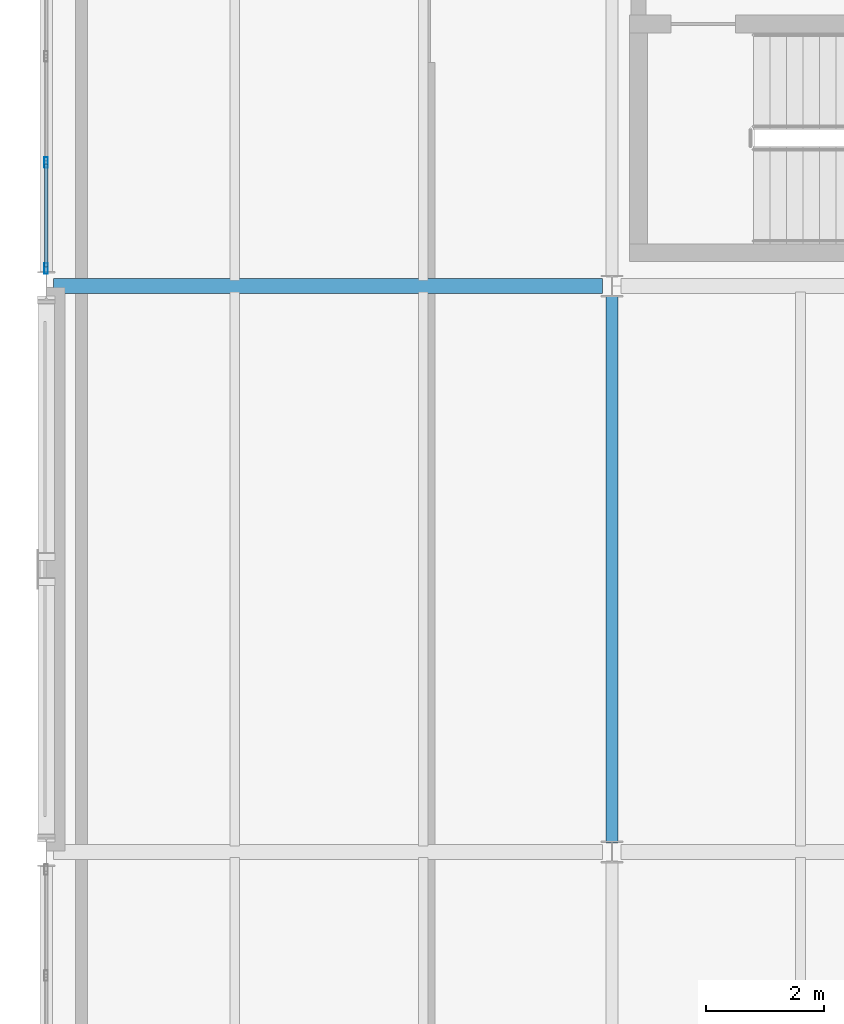
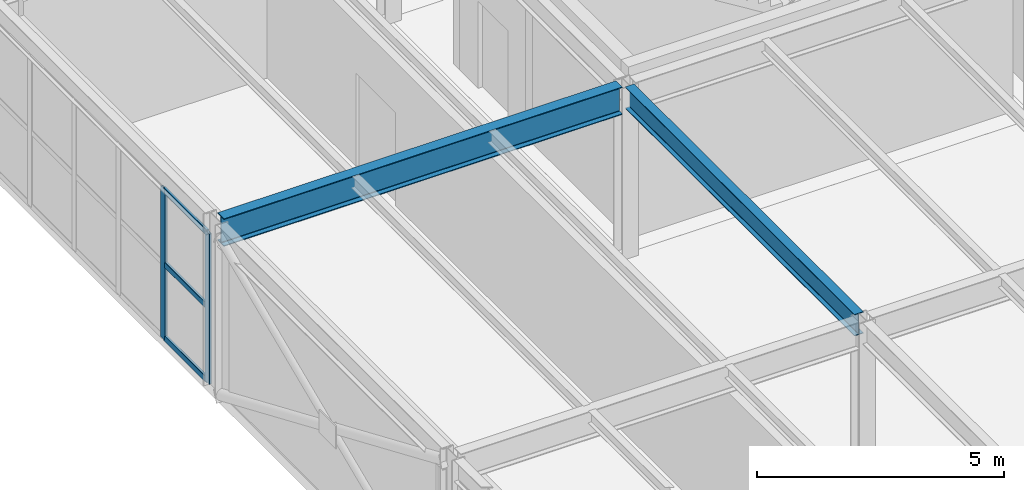
# One storey, part 24 of 170: 5 members, 2 beams, 1 element without a shape of its own.
"""IFC4 building model written with IfcOpenShell, lengths in metres."""

from ifc_helpers import new_model, si_unit, direction, frame, origin, origin_2d, place, context, subcontext, project, spatial, hollow_rectangle, i_section, extrude, material, material_profile, profile_set, type_object, element, aggregate, save


model = new_model("IFC4")

# Units and contexts
model_context = context("Model", 3, precision=1e-05, world=origin(), true_north=direction((0.0, 1.0)))
body_context = subcontext(model_context, "Body", "Model", "MODEL_VIEW")
ifc_project = project(units=[si_unit("LENGTHUNIT", "METRE"), si_unit("AREAUNIT", "SQUARE_METRE"), si_unit("VOLUMEUNIT", "CUBIC_METRE"), si_unit("PLANEANGLEUNIT", "RADIAN"), si_unit("MASSUNIT", "GRAM", prefix="KILO")], contexts=[model_context])

# Site, building, storey
site_placement = place(None, origin())
site = spatial("IfcSite", under=ifc_project, at=site_placement, CompositionType="ELEMENT")
building_placement = place(site_placement, origin())
building = spatial("IfcBuilding", under=site, at=building_placement, Name="Coralgate Yard Interchange", CompositionType="ELEMENT")
storey_placement = place(building_placement, frame((0.0, 0.0, 6.0)))
storey = spatial("IfcBuildingStorey", under=building, at=storey_placement, Name="L01", CompositionType="ELEMENT", Elevation=6.0)

# Beams
ifc_material_1 = material(Name="Structural steel S355J2", Category="steel")
ifc_material_profile_1 = material_profile(ifc_material_1, i_section(OverallWidth=0.209228515625, OverallDepth=0.533203125, WebThickness=0.010009765625, FlangeThickness=0.015625, FilletRadius=0.0126953125, at=origin_2d()), Name="UB 533x210x92")
ifc_profile_set_1 = profile_set([ifc_material_profile_1], Name="Structural steel S355J2")
beam_type_1 = type_object("IfcBeamType", Name="BM-SB-1", PredefinedType="BEAM", material=ifc_profile_set_1)
beam_1_placement = place(storey_placement, frame((9.60009765625, 19.35400390625, 3.9833984375), z_axis=(0.0, 1.0, 0.0), x_axis=(-1.0, 0.0, 0.0)))
element("IfcBeam", 1, at=beam_1_placement, inside=storey, type_object=beam_type_1, Name="L01 primary grid girder X1 Y2-3", PredefinedType="BEAM", context=body_context, shape_type="SweptSolid", body=[
    extrude(i_section(OverallWidth=0.209228515625, OverallDepth=0.533203125, WebThickness=0.010009765625, FlangeThickness=0.015625, FilletRadius=0.0126953125, at=origin_2d()), origin(), (0.0, 0.0, 1.0), 9.2919921875),
])
ifc_material_profile_2 = material_profile(ifc_material_1, i_section(OverallWidth=0.253662109375, OverallDepth=0.68359375, WebThickness=0.012451171875, FlangeThickness=0.01904296875, FilletRadius=0.01513671875, at=origin_2d()), Name="UB 686x254x140")
ifc_profile_set_2 = profile_set([ifc_material_profile_2], Name="Structural steel S355J2")
beam_type_2 = type_object("IfcBeamType", Name="BM-SG-4", PredefinedType="BEAM", material=ifc_profile_set_2)
beam_2_placement = place(storey_placement, frame((0.1201171875, 28.800048828125, 3.908203125), z_axis=(1.0, 0.0, 0.0), x_axis=(0.0, 1.0, 0.0)))
element("IfcBeam", 2, at=beam_2_placement, inside=storey, type_object=beam_type_2, Name="L01 primary grid beam Y3 X0-1", PredefinedType="BEAM", context=body_context, shape_type="SweptSolid", body=[
    extrude(i_section(OverallWidth=0.253662109375, OverallDepth=0.68359375, WebThickness=0.012451171875, FlangeThickness=0.01904296875, FilletRadius=0.01513671875, at=origin_2d()), origin(), (0.0, 0.0, 1.0), 9.323486328125),
])

# Curtain wall, members
ifc_material_2 = material(Name="Anodised coastal aluminium and solar-control low-E glass", Category="aluminium")
curtain_wall_type = type_object("IfcCurtainWallType", Name="CW-CW-L01-A", PredefinedType="NOTDEFINED", material=ifc_material_2)
curtain_wall_placement = place(storey_placement, origin())
curtain_wall = element("IfcCurtainWall", 3, at=curtain_wall_placement, inside=storey, type_object=curtain_wall_type, Name="L01 unitised curtain wall CW-L01-W-00-03", PredefinedType="NOTDEFINED")
ifc_material_3 = material(Name="Anodised coastal aluminium 6063-T6", Category="aluminium")
ifc_material_profile_3 = material_profile(ifc_material_3, hollow_rectangle(XDim=0.06005859375, YDim=0.179931640625, WallThickness=0.00390625, InnerFilletRadius=0.00390625, OuterFilletRadius=0.008056640625, at=origin_2d()), Name="ALU 60x180x4")
ifc_profile_set_3 = profile_set([ifc_material_profile_3], Name="Anodised coastal aluminium 6063-T6")
member_type_1 = type_object("IfcMemberType", Name="MB-MUL-180", PredefinedType="MULLION", material=ifc_profile_set_3)
member_1_placement = place(storey_placement, frame((0.0, 29.10009765625, 0.0), z_axis=(0.0, 0.0, 1.0), x_axis=(1.0, 0.0, 0.0)))
member_1 = element("IfcMember", 4, at=member_1_placement, type_object=member_type_1, Name="CW-L01-W-00-03 vertical mullion 1", PredefinedType="MULLION", context=body_context, shape_type="SweptSolid", body=[
    extrude(hollow_rectangle(XDim=0.06005859375, YDim=0.179931640625, WallThickness=0.00390625, InnerFilletRadius=0.00390625, OuterFilletRadius=0.008056640625, at=origin_2d()), origin(), (0.0, 0.0, 1.0), 3.716796875),
])
member_2_placement = place(storey_placement, frame((0.0, 30.89990234375, 0.0), z_axis=(0.0, 0.0, 1.0), x_axis=(1.0, 0.0, 0.0)))
member_2 = element("IfcMember", 5, at=member_2_placement, type_object=member_type_1, Name="CW-L01-W-00-03 vertical mullion 2", PredefinedType="MULLION", context=body_context, shape_type="SweptSolid", body=[
    extrude(hollow_rectangle(XDim=0.06005859375, YDim=0.179931640625, WallThickness=0.00390625, InnerFilletRadius=0.00390625, OuterFilletRadius=0.008056640625, at=origin_2d()), origin(), (0.0, 0.0, 1.0), 3.716796875),
])
ifc_material_profile_4 = material_profile(ifc_material_3, hollow_rectangle(XDim=0.06005859375, YDim=0.139892578125, WallThickness=0.00341796875, InnerFilletRadius=0.00341796875, OuterFilletRadius=0.007080078125, at=origin_2d()), Name="ALU 60x140x3.5")
ifc_profile_set_4 = profile_set([ifc_material_profile_4], Name="Anodised coastal aluminium 6063-T6")
member_type_2 = type_object("IfcMemberType", Name="MB-TRN-140", PredefinedType="USERDEFINED", material=ifc_profile_set_4)
member_3_placement = place(storey_placement, frame((0.0, 29.1298828125, 0.034912109375), z_axis=(0.0, 1.0, 0.0), x_axis=(-1.0, 0.0, 0.0)))
member_3 = element("IfcMember", 6, at=member_3_placement, type_object=member_type_2, Name="CW-L01-W-00-03 horizontal transom 1-1", ObjectType="TRANSOM", PredefinedType="USERDEFINED", context=body_context, shape_type="SweptSolid", body=[
    extrude(hollow_rectangle(XDim=0.06005859375, YDim=0.139892578125, WallThickness=0.00341796875, InnerFilletRadius=0.00341796875, OuterFilletRadius=0.007080078125, at=origin_2d()), origin(), (0.0, 0.0, 1.0), 1.740234375),
])
member_4_placement = place(storey_placement, frame((0.0, 29.1298828125, 1.8583984375), z_axis=(0.0, 1.0, 0.0), x_axis=(-1.0, 0.0, 0.0)))
member_4 = element("IfcMember", 7, at=member_4_placement, type_object=member_type_2, Name="CW-L01-W-00-03 horizontal transom 1-2", ObjectType="TRANSOM", PredefinedType="USERDEFINED", context=body_context, shape_type="SweptSolid", body=[
    extrude(hollow_rectangle(XDim=0.06005859375, YDim=0.139892578125, WallThickness=0.00341796875, InnerFilletRadius=0.00341796875, OuterFilletRadius=0.007080078125, at=origin_2d()), origin(), (0.0, 0.0, 1.0), 1.740234375),
])
member_5_placement = place(storey_placement, frame((0.0, 29.1298828125, 3.681884765625), z_axis=(0.0, 1.0, 0.0), x_axis=(-1.0, 0.0, 0.0)))
member_5 = element("IfcMember", 8, at=member_5_placement, type_object=member_type_2, Name="CW-L01-W-00-03 horizontal transom 1-3", ObjectType="TRANSOM", PredefinedType="USERDEFINED", context=body_context, shape_type="SweptSolid", body=[
    extrude(hollow_rectangle(XDim=0.06005859375, YDim=0.139892578125, WallThickness=0.00341796875, InnerFilletRadius=0.00341796875, OuterFilletRadius=0.007080078125, at=origin_2d()), origin(), (0.0, 0.0, 1.0), 1.740234375),
])
aggregate(curtain_wall, [member_1, member_2, member_3, member_4, member_5])

save(model, "model.ifc")
